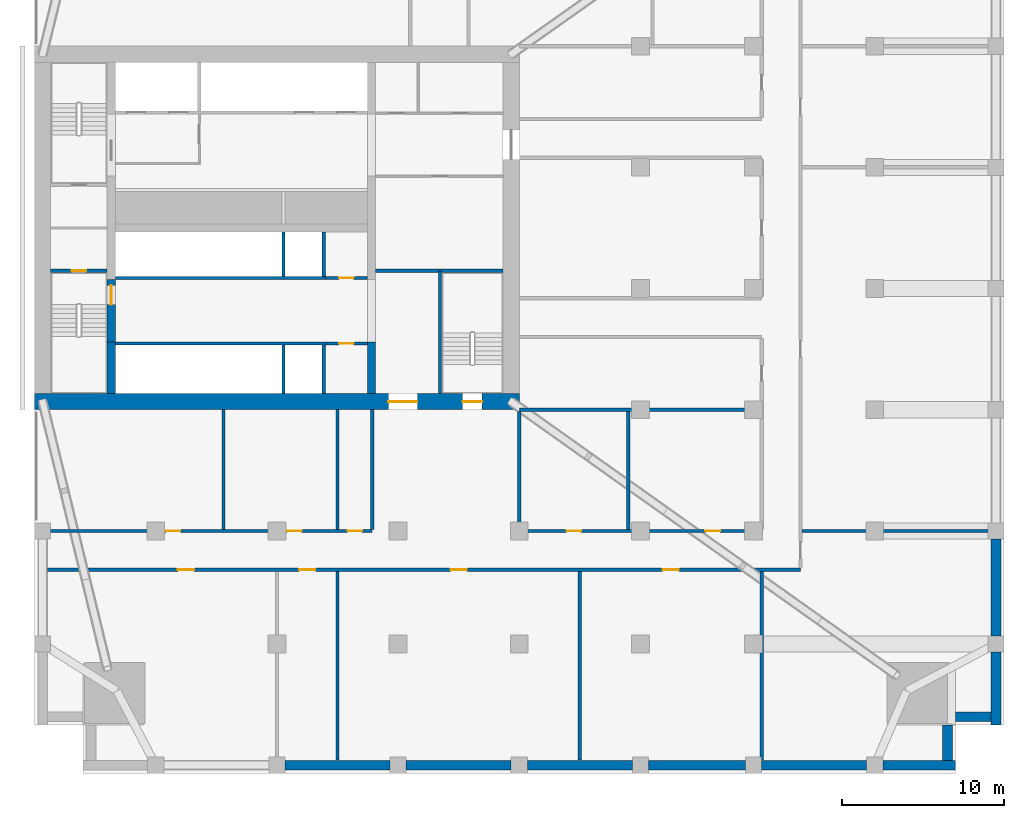
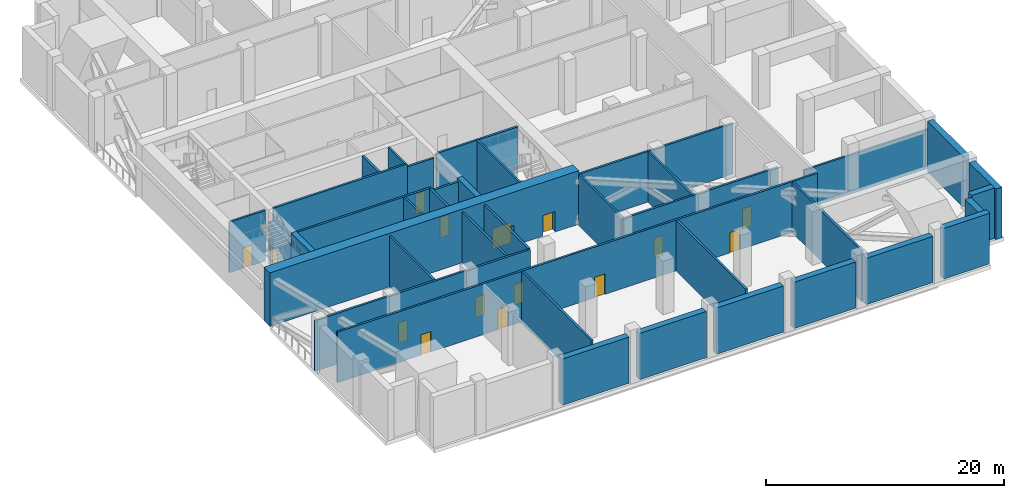
# One storey, part 3 of 10: 38 walls, 15 doors, 15 openings.
"""IFC4 building model written with IfcOpenShell, lengths in metres."""

from ifc_helpers import new_model, si_unit, direction, frame, frame_2d, origin, place, context, subcontext, project, spatial, rectangle, extrude, material, layer, layer_set, type_object, element, fill, save


model = new_model("IFC4")

# Units and contexts
model_context = context("Model", 3, precision=1e-05, world=origin(), true_north=direction((0.0, 1.0)))
body_context = subcontext(model_context, "Body", "Model", "MODEL_VIEW")
ifc_project = project(units=[si_unit("LENGTHUNIT", "METRE"), si_unit("AREAUNIT", "SQUARE_METRE"), si_unit("VOLUMEUNIT", "CUBIC_METRE"), si_unit("PLANEANGLEUNIT", "RADIAN"), si_unit("MASSUNIT", "GRAM", prefix="KILO")], contexts=[model_context])

# Site, building, storey
site_placement = place(None, origin())
site = spatial("IfcSite", under=ifc_project, at=site_placement, CompositionType="ELEMENT")
building_placement = place(site_placement, origin())
building = spatial("IfcBuilding", under=site, at=building_placement, Name="Tamorin Gate", CompositionType="ELEMENT")
storey_placement = place(building_placement, frame((0.0, 0.0, 118.699951171875)))
storey = spatial("IfcBuildingStorey", under=building, at=storey_placement, Name="L29", CompositionType="ELEMENT", Elevation=118.699951171875)

# Walls
ifc_material_1 = material(Name="Concrete C32/40", Category="concrete")
ifc_layer_1 = layer(ifc_material_1, 0.199951171875)
ifc_layer_set_1 = layer_set([ifc_layer_1], Name="Lift lobby face wall 200 EI 120")
wall_type_1 = type_object("IfcWallType", Name="Lift lobby face wall 200 EI 120", PredefinedType="SOLIDWALL", material=ifc_layer_set_1)
for number, where, z_axis, x_axis, name in (
    (1, (35.0, 64.10009765625, 0.0), (0.0, 0.0, 1.0), (1.0, 0.0, 0.0), "Lift lobby face wall"),
    (2, (35.0, 68.14990234375, 0.0), (0.0, 0.0, 1.0), (1.0, 0.0, 0.0), "Lift lobby face wall"),
):
    element("IfcWall", number, at=place(storey_placement, frame(where, z_axis=z_axis, x_axis=x_axis)), inside=storey, type_object=wall_type_1, Name=name, PredefinedType="SOLIDWALL", context=body_context, shape_type="SweptSolid", body=[
        extrude(rectangle(XDim=13.0, YDim=0.199951171875, at=frame_2d((6.5, 0.0))), origin(), (0.0, 0.0, 1.0), 5.5),
    ])
ifc_layer_2 = layer(ifc_material_1, 0.199951171875)
ifc_layer_set_2 = layer_set([ifc_layer_2], Name="Lift shaft wall 200 EI 120")
wall_type_2 = type_object("IfcWallType", Name="Lift shaft wall 200 EI 120", PredefinedType="SOLIDWALL", material=ifc_layer_set_2)
for number, where, z_axis, x_axis, name in (
    (3, (45.39990234375, 61.0, 0.0), (0.0, 0.0, 1.0), (0.0, 1.0, 0.0), "Lift shaft wall"),
    (4, (47.89990234375, 61.0, 0.0), (0.0, 0.0, 1.0), (0.0, 1.0, 0.0), "Lift shaft wall"),
):
    element("IfcWall", number, at=place(storey_placement, frame(where, z_axis=z_axis, x_axis=x_axis)), inside=storey, type_object=wall_type_2, Name=name, PredefinedType="SOLIDWALL", context=body_context, shape_type="SweptSolid", body=[
        extrude(rectangle(XDim=3.0, YDim=0.199951171875, at=frame_2d((1.5, 0.0))), origin(), (0.0, 0.0, 1.0), 5.5),
    ])
for number, where, z_axis, x_axis, name in (
    (5, (45.39990234375, 68.25, 0.0), (0.0, 0.0, 1.0), (0.0, 1.0, 0.0), "Lift shaft wall"),
    (6, (47.89990234375, 68.25, 0.0), (0.0, 0.0, 1.0), (0.0, 1.0, 0.0), "Lift shaft wall"),
):
    element("IfcWall", number, at=place(storey_placement, frame(where, z_axis=z_axis, x_axis=x_axis)), inside=storey, type_object=wall_type_2, Name=name, PredefinedType="SOLIDWALL", context=body_context, shape_type="SweptSolid", body=[
        extrude(rectangle(XDim=2.75, YDim=0.199951171875, at=frame_2d((1.375, 0.0))), origin(), (0.0, 0.0, 1.0), 5.5),
    ])
ifc_material_2 = material(Name="Aluminium louvres in concrete frame", Category="concrete")
ifc_layer_3 = layer(ifc_material_2, 0.60009765625)
ifc_layer_set_3 = layer_set([ifc_layer_3], Name="Louvred plant wall 600")
wall_type_3 = type_object("IfcWallType", Name="Louvred plant wall 600", PredefinedType="ELEMENTEDWALL", material=ifc_layer_set_3)
for number, where, z_axis, x_axis, name in (
    (7, (45.5, 38.0, 0.0), (0.0, 0.0, 1.0), (1.0, 0.0, 0.0), "Louvred plant wall"),
    (8, (53.0, 38.0, 0.0), (0.0, 0.0, 1.0), (1.0, 0.0, 0.0), "Louvred plant wall"),
    (9, (60.5, 38.0, 0.0), (0.0, 0.0, 1.0), (1.0, 0.0, 0.0), "Louvred plant wall"),
):
    element("IfcWall", number, at=place(storey_placement, frame(where, z_axis=z_axis, x_axis=x_axis)), inside=storey, type_object=wall_type_3, Name=name, PredefinedType="ELEMENTEDWALL", context=body_context, shape_type="SweptSolid", body=[
        extrude(rectangle(XDim=6.5, YDim=0.60009765625, at=frame_2d((3.25, 0.0))), origin(), (0.0, 0.0, 1.0), 4.75),
    ])
wall_1_placement = place(storey_placement, frame((68.0, 38.0, 0.0), z_axis=(0.0, 0.0, 1.0), x_axis=(1.0, 0.0, 0.0)))
element("IfcWall", 10, at=wall_1_placement, inside=storey, type_object=wall_type_3, Name="Louvred plant wall", PredefinedType="ELEMENTEDWALL", context=body_context, shape_type="SweptSolid", body=[
    extrude(rectangle(XDim=6.0, YDim=0.60009765625, at=frame_2d((3.0, 0.0))), origin(), (0.0, 0.0, 1.0), 4.75),
])
wall_2_placement = place(storey_placement, frame((75.0, 38.0, 0.0), z_axis=(0.0, 0.0, 1.0), x_axis=(1.0, 0.0, 0.0)))
element("IfcWall", 11, at=wall_2_placement, inside=storey, type_object=wall_type_3, Name="Louvred plant wall", PredefinedType="ELEMENTEDWALL", context=body_context, shape_type="SweptSolid", body=[
    extrude(rectangle(XDim=6.5, YDim=0.60009765625, at=frame_2d((3.25, 0.0))), origin(), (0.0, 0.0, 1.0), 4.75),
])
wall_3_placement = place(storey_placement, frame((82.5, 38.0, 0.0), z_axis=(0.0, 0.0, 1.0), x_axis=(1.0, 0.0, 0.0)))
element("IfcWall", 12, at=wall_3_placement, inside=storey, type_object=wall_type_3, Name="Louvred plant wall", PredefinedType="ELEMENTEDWALL", context=body_context, shape_type="SweptSolid", body=[
    extrude(rectangle(XDim=4.5, YDim=0.60009765625, at=frame_2d((2.25, 0.0))), origin(), (0.0, 0.0, 1.0), 5.199951171875),
])
for number, where, z_axis, x_axis, name in (
    (13, (86.5, 38.300048828125, 0.0), (0.0, 0.0, 1.0), (0.0, 1.0, 0.0), "Louvred plant wall"),
    (14, (87.0, 41.0, 0.0), (0.0, 0.0, 1.0), (1.0, 0.0, 0.0), "Louvred plant wall"),
):
    element("IfcWall", number, at=place(storey_placement, frame(where, z_axis=z_axis, x_axis=x_axis)), inside=storey, type_object=wall_type_3, Name=name, PredefinedType="ELEMENTEDWALL", context=body_context, shape_type="SweptSolid", body=[
        extrude(rectangle(XDim=2.199951171875, YDim=0.60009765625, at=frame_2d((1.10009765625, 0.0))), origin(), (0.0, 0.0, 1.0), 5.199951171875),
    ])
wall_4_placement = place(storey_placement, frame((89.5, 40.5, 0.0), z_axis=(0.0, 0.0, 1.0), x_axis=(0.0, 1.0, 0.0)))
element("IfcWall", 15, at=wall_4_placement, inside=storey, type_object=wall_type_3, Name="Louvred plant wall", PredefinedType="ELEMENTEDWALL", context=body_context, shape_type="SweptSolid", body=[
    extrude(rectangle(XDim=4.5, YDim=0.60009765625, at=frame_2d((2.25, 0.0))), origin(), (0.0, 0.0, 1.0), 5.199951171875),
])
wall_5_placement = place(storey_placement, frame((89.5, 46.0, 0.0), z_axis=(0.0, 0.0, 1.0), x_axis=(0.0, 1.0, 0.0)))
element("IfcWall", 16, at=wall_5_placement, inside=storey, type_object=wall_type_3, Name="Louvred plant wall", PredefinedType="ELEMENTEDWALL", context=body_context, shape_type="SweptSolid", body=[
    extrude(rectangle(XDim=6.0, YDim=0.60009765625, at=frame_2d((3.0, 0.0))), origin(), (0.0, 0.0, 1.0), 5.199951171875),
])

# Wall, openings, doors
ifc_material_3 = material(Name="Gypsum board partition")
ifc_layer_4 = layer(ifc_material_3, 0.199951171875)
ifc_layer_set_4 = layer_set([ifc_layer_4], Name="Plant and refuge wall 200")
wall_type_4 = type_object("IfcWallType", Name="Plant and refuge wall 200", PredefinedType="PARTITIONING", material=ifc_layer_set_4)
wall_6_placement = place(storey_placement, frame((30.81005859375, 50.10009765625, 0.0), z_axis=(0.0, 0.0, 1.0), x_axis=(1.0, 0.0, 0.0)))
wall_6 = element("IfcWall", 17, at=wall_6_placement, inside=storey, type_object=wall_type_4, Name="Plant and refuge wall 200", PredefinedType="PARTITIONING", context=body_context, shape_type="SweptSolid", body=[
    extrude(rectangle(XDim=46.58984375, YDim=0.199951171875, at=frame_2d((23.294921875, 0.0))), origin(), (0.0, 0.0, 1.0), 5.199951171875),
])
opening_1_placement = place(wall_6_placement, frame((8.06494140625, 0.0, 0.0)))
opening_1 = element("IfcOpeningElement", 18, at=opening_1_placement, cuts=wall_6, Name="Opening DPL2001", PredefinedType="OPENING", context=body_context, shape_type="SweptSolid", body=[
    extrude(rectangle(XDim=1.0, YDim=2.10009765625, at=frame_2d((0.5, 1.050048828125))), frame((0.0, 0.10986328125, 0.0), z_axis=(0.0, -1.0, 0.0), x_axis=(1.0, 0.0, 0.0)), (0.0, 0.0, 1.0), 0.219970703125),
])
opening_2_placement = place(wall_6_placement, frame((15.56494140625, 0.0, 0.0)))
opening_2 = element("IfcOpeningElement", 19, at=opening_2_placement, cuts=wall_6, Name="Opening DPL2002", PredefinedType="OPENING", context=body_context, shape_type="SweptSolid", body=[
    extrude(rectangle(XDim=1.0, YDim=2.10009765625, at=frame_2d((0.5, 1.050048828125))), frame((0.0, 0.10986328125, 0.0), z_axis=(0.0, -1.0, 0.0), x_axis=(1.0, 0.0, 0.0)), (0.0, 0.0, 1.0), 0.219970703125),
])
opening_3_placement = place(wall_6_placement, frame((24.93994140625, 0.0, 0.0)))
opening_3 = element("IfcOpeningElement", 20, at=opening_3_placement, cuts=wall_6, Name="Opening DPL2003", PredefinedType="OPENING", context=body_context, shape_type="SweptSolid", body=[
    extrude(rectangle(XDim=1.0, YDim=2.10009765625, at=frame_2d((0.5, 1.050048828125))), frame((0.0, 0.10986328125, 0.0), z_axis=(0.0, -1.0, 0.0), x_axis=(1.0, 0.0, 0.0)), (0.0, 0.0, 1.0), 0.219970703125),
])
opening_4_placement = place(wall_6_placement, frame((38.06494140625, 0.0, 0.0)))
opening_4 = element("IfcOpeningElement", 21, at=opening_4_placement, cuts=wall_6, Name="Opening DPL2004", PredefinedType="OPENING", context=body_context, shape_type="SweptSolid", body=[
    extrude(rectangle(XDim=1.0, YDim=2.10009765625, at=frame_2d((0.5, 1.050048828125))), frame((0.0, 0.10986328125, 0.0), z_axis=(0.0, -1.0, 0.0), x_axis=(1.0, 0.0, 0.0)), (0.0, 0.0, 1.0), 0.219970703125),
])
ifc_material_4 = material(Name="Timber door leaf", Category="wood")
door_type_1 = type_object("IfcDoorType", Name="Door 1000 x 2100 FD60", OperationType="NOTDEFINED", PredefinedType="DOOR", material=ifc_material_4)
door_1_placement = place(opening_1_placement, origin())
door_1 = element("IfcDoor", 22, at=door_1_placement, inside=storey, type_object=door_type_1, Name="Door DPL2001", OperationType="SINGLE_SWING_RIGHT", OverallHeight=2.10009765625, OverallWidth=1.0, PredefinedType="DOOR", context=body_context, shape_type="SweptSolid", body=[
    extrude(rectangle(XDim=1.0, YDim=2.10009765625, at=frame_2d((0.5, 1.050048828125))), frame((0.0, 0.02490234375, 0.0), z_axis=(0.0, -1.0, 0.0), x_axis=(1.0, 0.0, 0.0)), (0.0, 0.0, 1.0), 0.050048828125),
])
fill(opening_1, door_1)
door_2_placement = place(opening_2_placement, origin())
door_2 = element("IfcDoor", 23, at=door_2_placement, inside=storey, type_object=door_type_1, Name="Door DPL2002", OperationType="SINGLE_SWING_RIGHT", OverallHeight=2.10009765625, OverallWidth=1.0, PredefinedType="DOOR", context=body_context, shape_type="SweptSolid", body=[
    extrude(rectangle(XDim=1.0, YDim=2.10009765625, at=frame_2d((0.5, 1.050048828125))), frame((0.0, 0.02490234375, 0.0), z_axis=(0.0, -1.0, 0.0), x_axis=(1.0, 0.0, 0.0)), (0.0, 0.0, 1.0), 0.050048828125),
])
fill(opening_2, door_2)
door_3_placement = place(opening_3_placement, origin())
door_3 = element("IfcDoor", 24, at=door_3_placement, inside=storey, type_object=door_type_1, Name="Door DPL2003", OperationType="SINGLE_SWING_RIGHT", OverallHeight=2.10009765625, OverallWidth=1.0, PredefinedType="DOOR", context=body_context, shape_type="SweptSolid", body=[
    extrude(rectangle(XDim=1.0, YDim=2.10009765625, at=frame_2d((0.5, 1.050048828125))), frame((0.0, 0.02490234375, 0.0), z_axis=(0.0, -1.0, 0.0), x_axis=(1.0, 0.0, 0.0)), (0.0, 0.0, 1.0), 0.050048828125),
])
fill(opening_3, door_3)
door_4_placement = place(opening_4_placement, origin())
door_4 = element("IfcDoor", 25, at=door_4_placement, inside=storey, type_object=door_type_1, Name="Door DPL2004", OperationType="SINGLE_SWING_RIGHT", OverallHeight=2.10009765625, OverallWidth=1.0, PredefinedType="DOOR", context=body_context, shape_type="SweptSolid", body=[
    extrude(rectangle(XDim=1.0, YDim=2.10009765625, at=frame_2d((0.5, 1.050048828125))), frame((0.0, 0.02490234375, 0.0), z_axis=(0.0, -1.0, 0.0), x_axis=(1.0, 0.0, 0.0)), (0.0, 0.0, 1.0), 0.050048828125),
])
fill(opening_4, door_4)

wall_7_placement = place(storey_placement, frame((30.0, 52.5, 0.0), z_axis=(0.0, 0.0, 1.0), x_axis=(1.0, 0.0, 0.0)))
wall_7 = element("IfcWall", 26, at=wall_7_placement, inside=storey, type_object=wall_type_4, Name="Plant and refuge wall 200", PredefinedType="PARTITIONING", context=body_context, shape_type="SweptSolid", body=[
    extrude(rectangle(XDim=20.89990234375, YDim=0.199951171875, at=frame_2d((10.449951171875, 0.0))), origin(), (0.0, 0.0, 1.0), 5.199951171875),
])
opening_5_placement = place(wall_7_placement, frame((8.125, 0.0, 0.0)))
opening_5 = element("IfcOpeningElement", 27, at=opening_5_placement, cuts=wall_7, Name="Opening DPL2014", PredefinedType="OPENING", context=body_context, shape_type="SweptSolid", body=[
    extrude(rectangle(XDim=0.89990234375, YDim=2.10009765625, at=frame_2d((0.449951171875, 1.050048828125))), frame((0.0, 0.10986328125, 0.0), z_axis=(0.0, -1.0, 0.0), x_axis=(1.0, 0.0, 0.0)), (0.0, 0.0, 1.0), 0.219970703125),
])
opening_6_placement = place(wall_7_placement, frame((15.625, 0.0, 0.0)))
opening_6 = element("IfcOpeningElement", 28, at=opening_6_placement, cuts=wall_7, Name="Opening DPL2015", PredefinedType="OPENING", context=body_context, shape_type="SweptSolid", body=[
    extrude(rectangle(XDim=0.89990234375, YDim=2.10009765625, at=frame_2d((0.449951171875, 1.050048828125))), frame((0.0, 0.10986328125, 0.0), z_axis=(0.0, -1.0, 0.0), x_axis=(1.0, 0.0, 0.0)), (0.0, 0.0, 1.0), 0.219970703125),
])
opening_7_placement = place(wall_7_placement, frame((19.375, 0.0, 0.0)))
opening_7 = element("IfcOpeningElement", 29, at=opening_7_placement, cuts=wall_7, Name="Opening DPL2016", PredefinedType="OPENING", context=body_context, shape_type="SweptSolid", body=[
    extrude(rectangle(XDim=0.89990234375, YDim=2.10009765625, at=frame_2d((0.449951171875, 1.050048828125))), frame((0.0, 0.10986328125, 0.0), z_axis=(0.0, -1.0, 0.0), x_axis=(1.0, 0.0, 0.0)), (0.0, 0.0, 1.0), 0.219970703125),
])
door_type_2 = type_object("IfcDoorType", Name="Door 900 x 2100 FD30S", OperationType="NOTDEFINED", PredefinedType="DOOR", material=ifc_material_4)
door_5_placement = place(opening_6_placement, origin())
door_5 = element("IfcDoor", 30, at=door_5_placement, inside=storey, type_object=door_type_2, Name="Door DPL2015", OperationType="SINGLE_SWING_RIGHT", OverallHeight=2.10009765625, OverallWidth=0.89990234375, PredefinedType="DOOR", context=body_context, shape_type="SweptSolid", body=[
    extrude(rectangle(XDim=0.89990234375, YDim=2.10009765625, at=frame_2d((0.449951171875, 1.050048828125))), frame((0.0, 0.02490234375, 0.0), z_axis=(0.0, -1.0, 0.0), x_axis=(1.0, 0.0, 0.0)), (0.0, 0.0, 1.0), 0.050048828125),
])
fill(opening_6, door_5)
door_6_placement = place(opening_7_placement, origin())
door_6 = element("IfcDoor", 31, at=door_6_placement, inside=storey, type_object=door_type_2, Name="Door DPL2016", OperationType="SINGLE_SWING_LEFT", OverallHeight=2.10009765625, OverallWidth=0.89990234375, PredefinedType="DOOR", context=body_context, shape_type="SweptSolid", body=[
    extrude(rectangle(XDim=0.89990234375, YDim=2.10009765625, at=frame_2d((0.449951171875, 1.050048828125))), frame((0.0, 0.02490234375, 0.0), z_axis=(0.0, -1.0, 0.0), x_axis=(1.0, 0.0, 0.0)), (0.0, 0.0, 1.0), 0.050048828125),
])
fill(opening_7, door_6)
door_type_3 = type_object("IfcDoorType", Name="Door 900 x 2100 FD60", OperationType="NOTDEFINED", PredefinedType="DOOR", material=ifc_material_4)
door_7_placement = place(opening_5_placement, origin())
door_7 = element("IfcDoor", 32, at=door_7_placement, inside=storey, type_object=door_type_3, Name="Door DPL2014", OperationType="SINGLE_SWING_RIGHT", OverallHeight=2.10009765625, OverallWidth=0.89990234375, PredefinedType="DOOR", context=body_context, shape_type="SweptSolid", body=[
    extrude(rectangle(XDim=0.89990234375, YDim=2.10009765625, at=frame_2d((0.449951171875, 1.050048828125))), frame((0.0, 0.02490234375, 0.0), z_axis=(0.0, -1.0, 0.0), x_axis=(1.0, 0.0, 0.0)), (0.0, 0.0, 1.0), 0.050048828125),
])
fill(opening_5, door_7)

wall_8_placement = place(storey_placement, frame((60.0, 52.5, 0.0), z_axis=(0.0, 0.0, 1.0), x_axis=(1.0, 0.0, 0.0)))
wall_8 = element("IfcWall", 33, at=wall_8_placement, inside=storey, type_object=wall_type_4, Name="Plant and refuge wall 200", PredefinedType="PARTITIONING", context=body_context, shape_type="SweptSolid", body=[
    extrude(rectangle(XDim=15.0, YDim=0.199951171875, at=frame_2d((7.5, 0.0))), origin(), (0.0, 0.0, 1.0), 5.199951171875),
])
opening_8_placement = place(wall_8_placement, frame((2.925048828125, 0.0, 0.0)))
opening_8 = element("IfcOpeningElement", 34, at=opening_8_placement, cuts=wall_8, Name="Opening DPL2017", PredefinedType="OPENING", context=body_context, shape_type="SweptSolid", body=[
    extrude(rectangle(XDim=0.89990234375, YDim=2.10009765625, at=frame_2d((0.449951171875, 1.050048828125))), frame((0.0, 0.10986328125, 0.0), z_axis=(0.0, -1.0, 0.0), x_axis=(1.0, 0.0, 0.0)), (0.0, 0.0, 1.0), 0.219970703125),
])
opening_9_placement = place(wall_8_placement, frame((11.52490234375, 0.0, 0.0)))
opening_9 = element("IfcOpeningElement", 35, at=opening_9_placement, cuts=wall_8, Name="Opening DPL2018", PredefinedType="OPENING", context=body_context, shape_type="SweptSolid", body=[
    extrude(rectangle(XDim=0.89990234375, YDim=2.10009765625, at=frame_2d((0.449951171875, 1.050048828125))), frame((0.0, 0.10986328125, 0.0), z_axis=(0.0, -1.0, 0.0), x_axis=(1.0, 0.0, 0.0)), (0.0, 0.0, 1.0), 0.219970703125),
])
door_8_placement = place(opening_8_placement, origin())
door_8 = element("IfcDoor", 36, at=door_8_placement, inside=storey, type_object=door_type_3, Name="Door DPL2017", OperationType="SINGLE_SWING_LEFT", OverallHeight=2.10009765625, OverallWidth=0.89990234375, PredefinedType="DOOR", context=body_context, shape_type="SweptSolid", body=[
    extrude(rectangle(XDim=0.89990234375, YDim=2.10009765625, at=frame_2d((0.449951171875, 1.050048828125))), frame((0.0, 0.02490234375, 0.0), z_axis=(0.0, -1.0, 0.0), x_axis=(1.0, 0.0, 0.0)), (0.0, 0.0, 1.0), 0.050048828125),
])
fill(opening_8, door_8)
door_9_placement = place(opening_9_placement, origin())
door_9 = element("IfcDoor", 37, at=door_9_placement, inside=storey, type_object=door_type_3, Name="Door DPL2018", OperationType="SINGLE_SWING_LEFT", OverallHeight=2.10009765625, OverallWidth=0.89990234375, PredefinedType="DOOR", context=body_context, shape_type="SweptSolid", body=[
    extrude(rectangle(XDim=0.89990234375, YDim=2.10009765625, at=frame_2d((0.449951171875, 1.050048828125))), frame((0.0, 0.02490234375, 0.0), z_axis=(0.0, -1.0, 0.0), x_axis=(1.0, 0.0, 0.0)), (0.0, 0.0, 1.0), 0.050048828125),
])
fill(opening_9, door_9)

# Walls
wall_9_placement = place(storey_placement, frame((77.5, 52.5, 0.0), z_axis=(0.0, 0.0, 1.0), x_axis=(1.0, 0.0, 0.0)))
element("IfcWall", 38, at=wall_9_placement, inside=storey, type_object=wall_type_4, Name="Plant and refuge wall 200", PredefinedType="PARTITIONING", context=body_context, shape_type="SweptSolid", body=[
    extrude(rectangle(XDim=12.5, YDim=0.199951171875, at=frame_2d((6.25, 0.0))), origin(), (0.0, 0.0, 1.0), 4.0),
])
wall_10_placement = place(storey_placement, frame((60.0, 60.0, 0.0), z_axis=(0.0, 0.0, 1.0), x_axis=(1.0, 0.0, 0.0)))
element("IfcWall", 39, at=wall_10_placement, inside=storey, type_object=wall_type_4, Name="Plant and refuge wall 200", PredefinedType="PARTITIONING", context=body_context, shape_type="SweptSolid", body=[
    extrude(rectangle(XDim=14.89990234375, YDim=0.199951171875, at=frame_2d((7.449951171875, 0.0))), origin(), (0.0, 0.0, 1.0), 5.199951171875),
])
wall_11_placement = place(storey_placement, frame((41.699951171875, 52.60009765625, 0.0), z_axis=(0.0, 0.0, 1.0), x_axis=(0.0, 1.0, 0.0)))
element("IfcWall", 40, at=wall_11_placement, inside=storey, type_object=wall_type_4, Name="Plant and refuge wall 200", PredefinedType="PARTITIONING", context=body_context, shape_type="SweptSolid", body=[
    extrude(rectangle(XDim=7.39990234375, YDim=0.199951171875, at=frame_2d((3.699951171875, 0.0))), origin(), (0.0, 0.0, 1.0), 5.199951171875),
])
wall_12_placement = place(storey_placement, frame((48.75, 38.31005859375, 0.0), z_axis=(0.0, 0.0, 1.0), x_axis=(0.0, 1.0, 0.0)))
element("IfcWall", 41, at=wall_12_placement, inside=storey, type_object=wall_type_4, Name="Plant and refuge wall 200", PredefinedType="PARTITIONING", context=body_context, shape_type="SweptSolid", body=[
    extrude(rectangle(XDim=11.68994140625, YDim=0.199951171875, at=frame_2d((5.844970703125, 0.0))), origin(), (0.0, 0.0, 1.0), 5.199951171875),
])
for number, where, z_axis, x_axis, name in (
    (42, (48.75, 52.60009765625, 0.0), (0.0, 0.0, 1.0), (0.0, 1.0, 0.0), "Plant and refuge wall 200"),
    (43, (50.89990234375, 52.60009765625, 0.0), (0.0, 0.0, 1.0), (0.0, 1.0, 0.0), "Plant and refuge wall 200"),
):
    element("IfcWall", number, at=place(storey_placement, frame(where, z_axis=z_axis, x_axis=x_axis)), inside=storey, type_object=wall_type_4, Name=name, PredefinedType="PARTITIONING", context=body_context, shape_type="SweptSolid", body=[
        extrude(rectangle(XDim=7.39990234375, YDim=0.199951171875, at=frame_2d((3.699951171875, 0.0))), origin(), (0.0, 0.0, 1.0), 5.199951171875),
    ])
wall_13_placement = place(storey_placement, frame((60.0, 52.60009765625, 0.0), z_axis=(0.0, 0.0, 1.0), x_axis=(0.0, 1.0, 0.0)))
element("IfcWall", 44, at=wall_13_placement, inside=storey, type_object=wall_type_4, Name="Plant and refuge wall 200", PredefinedType="PARTITIONING", context=body_context, shape_type="SweptSolid", body=[
    extrude(rectangle(XDim=7.2998046875, YDim=0.199951171875, at=frame_2d((3.64990234375, 0.0))), origin(), (0.0, 0.0, 1.0), 5.199951171875),
])
wall_14_placement = place(storey_placement, frame((63.75, 38.31005859375, 0.0), z_axis=(0.0, 0.0, 1.0), x_axis=(0.0, 1.0, 0.0)))
element("IfcWall", 45, at=wall_14_placement, inside=storey, type_object=wall_type_4, Name="Plant and refuge wall 200", PredefinedType="PARTITIONING", context=body_context, shape_type="SweptSolid", body=[
    extrude(rectangle(XDim=11.68994140625, YDim=0.199951171875, at=frame_2d((5.844970703125, 0.0))), origin(), (0.0, 0.0, 1.0), 5.199951171875),
])
wall_15_placement = place(storey_placement, frame((66.75, 52.60009765625, 0.0), z_axis=(0.0, 0.0, 1.0), x_axis=(0.0, 1.0, 0.0)))
element("IfcWall", 46, at=wall_15_placement, inside=storey, type_object=wall_type_4, Name="Plant and refuge wall 200", PredefinedType="PARTITIONING", context=body_context, shape_type="SweptSolid", body=[
    extrude(rectangle(XDim=7.2998046875, YDim=0.199951171875, at=frame_2d((3.64990234375, 0.0))), origin(), (0.0, 0.0, 1.0), 5.199951171875),
])
wall_16_placement = place(storey_placement, frame((75.0, 38.31005859375, 0.0), z_axis=(0.0, 0.0, 1.0), x_axis=(0.0, 1.0, 0.0)))
element("IfcWall", 47, at=wall_16_placement, inside=storey, type_object=wall_type_4, Name="Plant and refuge wall 200", PredefinedType="PARTITIONING", context=body_context, shape_type="SweptSolid", body=[
    extrude(rectangle(XDim=11.68994140625, YDim=0.199951171875, at=frame_2d((5.844970703125, 0.0))), origin(), (0.0, 0.0, 1.0), 5.199951171875),
])
ifc_material_5 = material(Name="Concrete C80/95", Category="concrete")
ifc_layer_5 = layer(ifc_material_5, 0.5)
ifc_layer_set_5 = layer_set([ifc_layer_5], Name="RC core internal wall 500 C80/95")
wall_type_5 = type_object("IfcWallType", Name="RC core internal wall 500 C80/95", PredefinedType="SHEAR", material=ifc_layer_set_5)
for number, where, z_axis, x_axis, name in (
    (48, (34.75, 61.0, 0.0), (0.0, 0.0, 1.0), (0.0, 1.0, 0.0), "Core cross wall L29"),
    (49, (50.85009765625, 61.0, 0.0), (0.0, 0.0, 1.0), (0.0, 1.0, 0.0), "Core cross wall L29"),
):
    element("IfcWall", number, at=place(storey_placement, frame(where, z_axis=z_axis, x_axis=x_axis)), inside=storey, type_object=wall_type_5, Name=name, PredefinedType="SHEAR", context=body_context, shape_type="SweptSolid", body=[
        extrude(rectangle(XDim=3.199951171875, YDim=0.5, at=frame_2d((1.60009765625, 0.0))), origin(), (0.0, 0.0, 1.0), 5.5),
    ])

# Wall, openings, doors
ifc_layer_6 = layer(ifc_material_5, 1.0)
ifc_layer_set_6 = layer_set([ifc_layer_6], Name="RC core wall 1000 C80/95")
wall_type_6 = type_object("IfcWallType", Name="RC core wall 1000 C80/95", PredefinedType="SHEAR", material=ifc_layer_set_6)
wall_17_placement = place(storey_placement, frame((30.0, 60.5, 0.0), z_axis=(0.0, 0.0, 1.0), x_axis=(1.0, 0.0, 0.0)))
wall_17 = element("IfcWall", 50, at=wall_17_placement, inside=storey, type_object=wall_type_6, Name="Core wall L29", PredefinedType="SHEAR", context=body_context, shape_type="SweptSolid", body=[
    extrude(rectangle(XDim=30.0, YDim=1.0, at=frame_2d((15.0, 0.0))), origin(), (0.0, 0.0, 1.0), 5.5),
])
opening_10_placement = place(wall_17_placement, frame((21.89990234375, 0.0, 0.0)))
opening_10 = element("IfcOpeningElement", 51, at=opening_10_placement, cuts=wall_17, Name="Opening DE1", PredefinedType="OPENING", context=body_context, shape_type="SweptSolid", body=[
    extrude(rectangle(XDim=1.800048828125, YDim=2.10009765625, at=frame_2d((0.89990234375, 1.050048828125))), frame((0.0, 0.510009765625, 0.0), z_axis=(0.0, -1.0, 0.0), x_axis=(1.0, 0.0, 0.0)), (0.0, 0.0, 1.0), 1.02001953125),
])
opening_11_placement = place(wall_17_placement, frame((26.5, 0.0, 0.0)))
opening_11 = element("IfcOpeningElement", 52, at=opening_11_placement, cuts=wall_17, Name="Opening DS1", PredefinedType="OPENING", context=body_context, shape_type="SweptSolid", body=[
    extrude(rectangle(XDim=1.199951171875, YDim=2.10009765625, at=frame_2d((0.60009765625, 1.050048828125))), frame((0.0, 0.510009765625, 0.0), z_axis=(0.0, -1.0, 0.0), x_axis=(1.0, 0.0, 0.0)), (0.0, 0.0, 1.0), 1.02001953125),
])
ifc_material_6 = material(Name="Steel fire door", Category="steel")
door_type_4 = type_object("IfcDoorType", Name="Lobby exit double door 1800 x 2100 EI 60", OperationType="DOUBLE_DOOR_SINGLE_SWING", PredefinedType="DOOR", material=ifc_material_6)
door_10_placement = place(opening_10_placement, origin())
door_10 = element("IfcDoor", 53, at=door_10_placement, inside=storey, type_object=door_type_4, Name="Lift lobby A exit door", OperationType="DOUBLE_DOOR_SINGLE_SWING", OverallHeight=2.10009765625, OverallWidth=1.800048828125, PredefinedType="DOOR", context=body_context, shape_type="SweptSolid", body=[
    extrude(rectangle(XDim=1.800048828125, YDim=2.10009765625, at=frame_2d((0.89990234375, 1.050048828125))), frame((0.0, 0.02490234375, 0.0), z_axis=(0.0, -1.0, 0.0), x_axis=(1.0, 0.0, 0.0)), (0.0, 0.0, 1.0), 0.050048828125),
])
fill(opening_10, door_10)
door_type_5 = type_object("IfcDoorType", Name="Stair door 1200 x 2100 EI 90", OperationType="SINGLE_SWING_LEFT", PredefinedType="DOOR", material=ifc_material_6)
door_11_placement = place(opening_11_placement, origin())
door_11 = element("IfcDoor", 54, at=door_11_placement, inside=storey, type_object=door_type_5, Name="ST3 door", OperationType="SINGLE_SWING_LEFT", OverallHeight=2.10009765625, OverallWidth=1.199951171875, PredefinedType="DOOR", context=body_context, shape_type="SweptSolid", body=[
    extrude(rectangle(XDim=1.199951171875, YDim=2.10009765625, at=frame_2d((0.60009765625, 1.050048828125))), frame((0.0, 0.02490234375, 0.0), z_axis=(0.0, -1.0, 0.0), x_axis=(1.0, 0.0, 0.0)), (0.0, 0.0, 1.0), 0.050048828125),
])
fill(opening_11, door_11)

# Wall, opening, door
ifc_layer_7 = layer(ifc_material_3, 0.199951171875)
ifc_layer_set_7 = layer_set([ifc_layer_7], Name="Service room face wall 200 EI 60")
wall_type_7 = type_object("IfcWallType", Name="Service room face wall 200 EI 60", PredefinedType="PARTITIONING", material=ifc_layer_set_7)
wall_18_placement = place(storey_placement, frame((48.0, 64.10009765625, 0.0), z_axis=(0.0, 0.0, 1.0), x_axis=(1.0, 0.0, 0.0)))
wall_18 = element("IfcWall", 55, at=wall_18_placement, inside=storey, type_object=wall_type_7, Name="Service room face wall", PredefinedType="PARTITIONING", context=body_context, shape_type="SweptSolid", body=[
    extrude(rectangle(XDim=2.60009765625, YDim=0.199951171875, at=frame_2d((1.300048828125, 0.0))), origin(), (0.0, 0.0, 1.0), 5.199951171875),
])
opening_12_placement = place(wall_18_placement, frame((0.85009765625, 0.0, 0.0)))
opening_12 = element("IfcOpeningElement", 56, at=opening_12_placement, cuts=wall_18, Name="Opening DK1", PredefinedType="OPENING", context=body_context, shape_type="SweptSolid", body=[
    extrude(rectangle(XDim=0.89990234375, YDim=2.10009765625, at=frame_2d((0.449951171875, 1.050048828125))), frame((0.0, 0.10986328125, 0.0), z_axis=(0.0, -1.0, 0.0), x_axis=(1.0, 0.0, 0.0)), (0.0, 0.0, 1.0), 0.219970703125),
])
ifc_material_7 = material(Name="Timber fire door", Category="wood")
door_type_6 = type_object("IfcDoorType", Name="Service room door 900 x 2100 EI 60", OperationType="SINGLE_SWING_LEFT", PredefinedType="DOOR", material=ifc_material_7)
door_12_placement = place(opening_12_placement, origin())
door_12 = element("IfcDoor", 57, at=door_12_placement, inside=storey, type_object=door_type_6, Name="Door Telecom room", OperationType="SINGLE_SWING_LEFT", OverallHeight=2.10009765625, OverallWidth=0.89990234375, PredefinedType="DOOR", context=body_context, shape_type="SweptSolid", body=[
    extrude(rectangle(XDim=0.89990234375, YDim=2.10009765625, at=frame_2d((0.449951171875, 1.050048828125))), frame((0.0, 0.02490234375, 0.0), z_axis=(0.0, -1.0, 0.0), x_axis=(1.0, 0.0, 0.0)), (0.0, 0.0, 1.0), 0.050048828125),
])
fill(opening_12, door_12)

wall_19_placement = place(storey_placement, frame((48.0, 68.14990234375, 0.0), z_axis=(0.0, 0.0, 1.0), x_axis=(1.0, 0.0, 0.0)))
wall_19 = element("IfcWall", 58, at=wall_19_placement, inside=storey, type_object=wall_type_7, Name="Service room face wall", PredefinedType="PARTITIONING", context=body_context, shape_type="SweptSolid", body=[
    extrude(rectangle(XDim=2.60009765625, YDim=0.199951171875, at=frame_2d((1.300048828125, 0.0))), origin(), (0.0, 0.0, 1.0), 5.199951171875),
])
opening_13_placement = place(wall_19_placement, frame((0.85009765625, 0.0, 0.0)))
opening_13 = element("IfcOpeningElement", 59, at=opening_13_placement, cuts=wall_19, Name="Opening DK1", PredefinedType="OPENING", context=body_context, shape_type="SweptSolid", body=[
    extrude(rectangle(XDim=0.89990234375, YDim=2.10009765625, at=frame_2d((0.449951171875, 1.050048828125))), frame((0.0, 0.10986328125, 0.0), z_axis=(0.0, -1.0, 0.0), x_axis=(1.0, 0.0, 0.0)), (0.0, 0.0, 1.0), 0.219970703125),
])
door_13_placement = place(opening_13_placement, origin())
door_13 = element("IfcDoor", 60, at=door_13_placement, inside=storey, type_object=door_type_6, Name="Door Cooling riser room", OperationType="SINGLE_SWING_LEFT", OverallHeight=2.10009765625, OverallWidth=0.89990234375, PredefinedType="DOOR", context=body_context, shape_type="SweptSolid", body=[
    extrude(rectangle(XDim=0.89990234375, YDim=2.10009765625, at=frame_2d((0.449951171875, 1.050048828125))), frame((0.0, 0.02490234375, 0.0), z_axis=(0.0, -1.0, 0.0), x_axis=(1.0, 0.0, 0.0)), (0.0, 0.0, 1.0), 0.050048828125),
])
fill(opening_13, door_13)

ifc_material_8 = material(Name="Concrete C40/50", Category="concrete")
ifc_layer_8 = layer(ifc_material_8, 0.199951171875)
ifc_layer_set_8 = layer_set([ifc_layer_8], Name="Stair enclosure wall 200 EI 120 C40/50")
wall_type_8 = type_object("IfcWallType", Name="Stair enclosure wall 200 EI 120 C40/50", PredefinedType="SOLIDWALL", material=ifc_layer_set_8)
wall_20_placement = place(storey_placement, frame((31.0, 68.60009765625, 0.0), z_axis=(0.0, 0.0, 1.0), x_axis=(1.0, 0.0, 0.0)))
wall_20 = element("IfcWall", 61, at=wall_20_placement, inside=storey, type_object=wall_type_8, Name="Stair enclosure wall", PredefinedType="SOLIDWALL", context=body_context, shape_type="SweptSolid", body=[
    extrude(rectangle(XDim=3.5, YDim=0.199951171875, at=frame_2d((1.75, 0.0))), origin(), (0.0, 0.0, 1.0), 5.199951171875),
])
opening_14_placement = place(wall_20_placement, frame((1.300048828125, 0.0, 0.0)))
opening_14 = element("IfcOpeningElement", 62, at=opening_14_placement, cuts=wall_20, Name="Opening DR1", PredefinedType="OPENING", context=body_context, shape_type="SweptSolid", body=[
    extrude(rectangle(XDim=0.89990234375, YDim=2.10009765625, at=frame_2d((0.449951171875, 1.050048828125))), frame((0.0, 0.10986328125, 0.0), z_axis=(0.0, -1.0, 0.0), x_axis=(1.0, 0.0, 0.0)), (0.0, 0.0, 1.0), 0.219970703125),
])
door_type_7 = type_object("IfcDoorType", Name="Riser access door 900 x 2100 EI 120", OperationType="SINGLE_SWING_LEFT", PredefinedType="DOOR", material=ifc_material_6)
door_14_placement = place(opening_14_placement, origin())
door_14 = element("IfcDoor", 63, at=door_14_placement, inside=storey, type_object=door_type_7, Name="Electrical riser door", OperationType="SINGLE_SWING_LEFT", OverallHeight=2.10009765625, OverallWidth=0.89990234375, PredefinedType="DOOR", context=body_context, shape_type="SweptSolid", body=[
    extrude(rectangle(XDim=0.89990234375, YDim=2.10009765625, at=frame_2d((0.449951171875, 1.050048828125))), frame((0.0, 0.02490234375, 0.0), z_axis=(0.0, -1.0, 0.0), x_axis=(1.0, 0.0, 0.0)), (0.0, 0.0, 1.0), 0.050048828125),
])
fill(opening_14, door_14)

# Walls
wall_21_placement = place(storey_placement, frame((55.10009765625, 61.0, 0.0), z_axis=(0.0, 0.0, 1.0), x_axis=(0.0, 1.0, 0.0)))
element("IfcWall", 64, at=wall_21_placement, inside=storey, type_object=wall_type_8, Name="Stair enclosure wall", PredefinedType="SOLIDWALL", context=body_context, shape_type="SweptSolid", body=[
    extrude(rectangle(XDim=7.60009765625, YDim=0.199951171875, at=frame_2d((3.800048828125, 0.0))), origin(), (0.0, 0.0, 1.0), 5.199951171875),
])
wall_22_placement = place(storey_placement, frame((51.10009765625, 68.60009765625, 0.0), z_axis=(0.0, 0.0, 1.0), x_axis=(1.0, 0.0, 0.0)))
element("IfcWall", 65, at=wall_22_placement, inside=storey, type_object=wall_type_8, Name="Stair enclosure wall", PredefinedType="SOLIDWALL", context=body_context, shape_type="SweptSolid", body=[
    extrude(rectangle(XDim=7.89990234375, YDim=0.199951171875, at=frame_2d((3.949951171875, 0.0))), origin(), (0.0, 0.0, 1.0), 5.199951171875),
])

# Wall, opening, door
ifc_layer_9 = layer(ifc_material_1, 0.5)
ifc_layer_set_9 = layer_set([ifc_layer_9], Name="Stair lobby infill wall 500 EI 120")
wall_type_9 = type_object("IfcWallType", Name="Stair lobby infill wall 500 EI 120", PredefinedType="SOLIDWALL", material=ifc_layer_set_9)
wall_23_placement = place(storey_placement, frame((34.75, 64.199951171875, 0.0), z_axis=(0.0, 0.0, 1.0), x_axis=(0.0, 1.0, 0.0)))
wall_23 = element("IfcWall", 66, at=wall_23_placement, inside=storey, type_object=wall_type_9, Name="Stair lobby infill wall", PredefinedType="SOLIDWALL", context=body_context, shape_type="SweptSolid", body=[
    extrude(rectangle(XDim=3.85009765625, YDim=0.5, at=frame_2d((1.925048828125, 0.0))), origin(), (0.0, 0.0, 1.0), 4.300048828125),
])
opening_15_placement = place(wall_23_placement, frame((2.300048828125, 0.0, 0.0)))
opening_15 = element("IfcOpeningElement", 67, at=opening_15_placement, cuts=wall_23, Name="Opening DS1", PredefinedType="OPENING", context=body_context, shape_type="SweptSolid", body=[
    extrude(rectangle(XDim=1.199951171875, YDim=2.10009765625, at=frame_2d((0.60009765625, 1.050048828125))), frame((0.0, 0.260009765625, 0.0), z_axis=(0.0, -1.0, 0.0), x_axis=(1.0, 0.0, 0.0)), (0.0, 0.0, 1.0), 0.52001953125),
])
door_15_placement = place(opening_15_placement, origin())
door_15 = element("IfcDoor", 68, at=door_15_placement, inside=storey, type_object=door_type_5, Name="ST1 door", OperationType="SINGLE_SWING_LEFT", OverallHeight=2.10009765625, OverallWidth=1.199951171875, PredefinedType="DOOR", context=body_context, shape_type="SweptSolid", body=[
    extrude(rectangle(XDim=1.199951171875, YDim=2.10009765625, at=frame_2d((0.60009765625, 1.050048828125))), frame((0.0, 0.02490234375, 0.0), z_axis=(0.0, -1.0, 0.0), x_axis=(1.0, 0.0, 0.0)), (0.0, 0.0, 1.0), 0.050048828125),
])
fill(opening_15, door_15)

save(model, "model.ifc")
